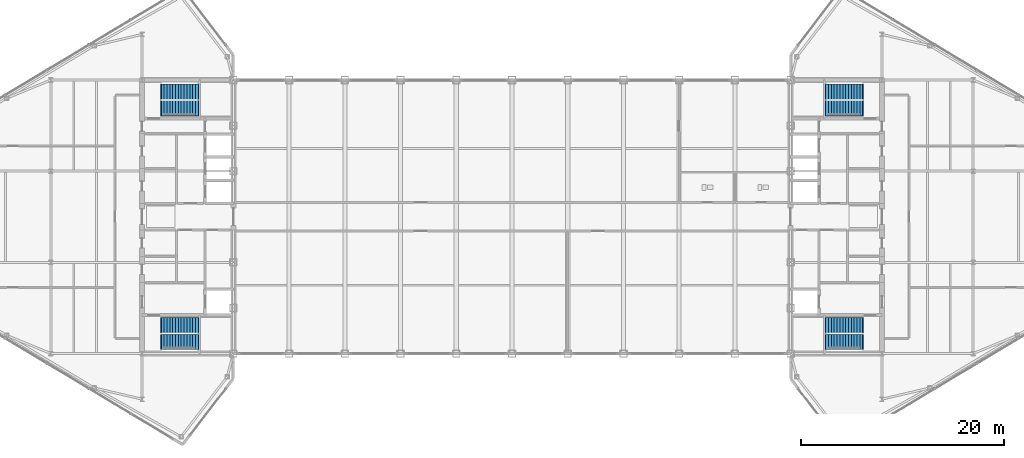
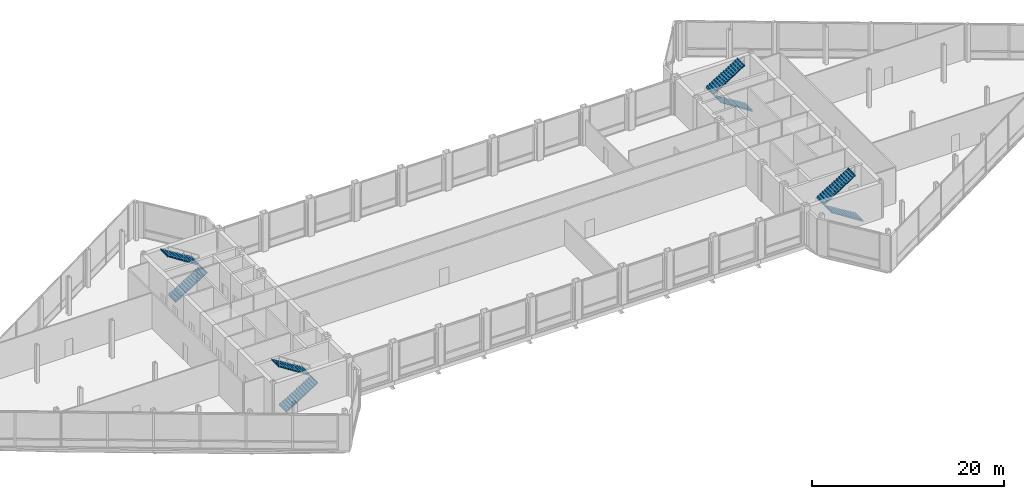
# One storey, part 27 of 29: 8 stair flights, 4 elements without a shape of their own.
"""IFC4 building model written with IfcOpenShell, lengths in metres."""

from ifc_helpers import new_model, si_unit, direction, frame, origin, place, context, subcontext, project, spatial, polyline, outline, extrude, material, type_object, element, aggregate, save


model = new_model("IFC4")

# Units and contexts
model_context = context("Model", 3, precision=1e-05, world=origin(), true_north=direction((0.0, 1.0)))
body_context = subcontext(model_context, "Body", "Model", "MODEL_VIEW")
ifc_project = project(units=[si_unit("LENGTHUNIT", "METRE"), si_unit("AREAUNIT", "SQUARE_METRE"), si_unit("VOLUMEUNIT", "CUBIC_METRE"), si_unit("PLANEANGLEUNIT", "RADIAN"), si_unit("MASSUNIT", "GRAM", prefix="KILO")], contexts=[model_context])

# Site, building, storey
site_placement = place(None, origin())
site = spatial("IfcSite", under=ifc_project, at=site_placement, CompositionType="ELEMENT")
building_placement = place(site_placement, origin())
building = spatial("IfcBuilding", under=site, at=building_placement, Name="Seokmaru Belvedere", CompositionType="ELEMENT")
storey_placement = place(building_placement, frame((0.0, 0.0, 269.39990234375)))
storey = spatial("IfcBuildingStorey", under=building, at=storey_placement, Name="L71", CompositionType="ELEMENT", Elevation=269.39990234375)

# Stair, stair flights
ifc_material = material(Name="Concrete C40 (40 MPa)", Category="concrete")
stair_type = type_object("IfcStairType", Name="Basement Core Dog-Leg Stair 4800", PredefinedType="TWO_STRAIGHT_RUN_STAIR", material=ifc_material)
stair_1_placement = place(storey_placement, origin())
stair_1 = element("IfcStair", 1, at=stair_1_placement, inside=storey, type_object=stair_type, Name="L71 Special Escape Stair ST-W1", PredefinedType="TWO_STRAIGHT_RUN_STAIR")
stair_flight_type = type_object("IfcStairFlightType", Name="Reinforced Concrete Stair Flight 1500", PredefinedType="STRAIGHT", material=ifc_material)
stair_flight_1_placement = place(storey_placement, frame((-34.60009765625, -12.35009765625, 0.0), z_axis=(0.0, 0.0, 1.0), x_axis=(1.0, 0.0, 0.0)))
stair_flight_1 = element("IfcStairFlight", 2, at=stair_flight_1_placement, type_object=stair_flight_type, Name="ST-W1 flight 1", NumberOfRisers=14, NumberOfTreads=13, PredefinedType="STRAIGHT", RiserHeight=0.171428571, TreadLength=0.28, context=body_context, shape_type="SweptSolid", body=[
    extrude(outline(polyline([(-0.080078125, 0.0), (0.0, 0.17138671875), (0.280029296875, 0.17138671875), (0.280029296875, 0.3427734375), (0.56005859375, 0.3427734375), (0.56005859375, 0.514404296875), (0.840087890625, 0.514404296875), (0.840087890625, 0.685791015625), (1.1201171875, 0.685791015625), (1.1201171875, 0.857177734375), (1.39990234375, 0.857177734375), (1.39990234375, 1.028564453125), (1.679931640625, 1.028564453125), (1.679931640625, 1.199951171875), (1.9599609375, 1.199951171875), (1.9599609375, 1.371337890625), (2.239990234375, 1.371337890625), (2.239990234375, 1.54296875), (2.52001953125, 1.54296875), (2.52001953125, 1.71435546875), (2.800048828125, 1.71435546875), (2.800048828125, 1.8857421875), (3.080078125, 1.8857421875), (3.080078125, 2.05712890625), (3.360107421875, 2.05712890625), (3.360107421875, 2.228515625), (3.639892578125, 2.228515625), (3.639892578125, 2.39990234375), (3.719970703125, 2.39990234375), (3.719970703125, 2.2099609375), (3.639892578125, 2.2099609375), (0.0, -0.159912109375), (-0.080078125, -0.159912109375), (-0.080078125, 0.0)])), frame((0.0, 0.75, 0.0), z_axis=(0.0, -1.0, 0.0), x_axis=(1.0, 0.0, 0.0)), (0.0, 0.0, 1.0), 1.5),
])
stair_flight_2_placement = place(storey_placement, frame((-30.9599609375, -10.7099609375, 2.400146484375), z_axis=(0.0, 0.0, 1.0), x_axis=(-1.0, 0.0, 0.0)))
stair_flight_2 = element("IfcStairFlight", 3, at=stair_flight_2_placement, type_object=stair_flight_type, Name="ST-W1 flight 2", NumberOfRisers=14, NumberOfTreads=13, PredefinedType="STRAIGHT", RiserHeight=0.171428571, TreadLength=0.28, context=body_context, shape_type="SweptSolid", body=[
    extrude(outline(polyline([(-0.080078125, 0.0), (0.0, 0.17138671875), (0.280029296875, 0.17138671875), (0.280029296875, 0.3427734375), (0.56005859375, 0.3427734375), (0.56005859375, 0.514404296875), (0.840087890625, 0.514404296875), (0.840087890625, 0.685791015625), (1.1201171875, 0.685791015625), (1.1201171875, 0.857177734375), (1.39990234375, 0.857177734375), (1.39990234375, 1.028564453125), (1.679931640625, 1.028564453125), (1.679931640625, 1.199951171875), (1.9599609375, 1.199951171875), (1.9599609375, 1.371337890625), (2.239990234375, 1.371337890625), (2.239990234375, 1.54296875), (2.52001953125, 1.54296875), (2.52001953125, 1.71435546875), (2.800048828125, 1.71435546875), (2.800048828125, 1.8857421875), (3.080078125, 1.8857421875), (3.080078125, 2.05712890625), (3.360107421875, 2.05712890625), (3.360107421875, 2.228515625), (3.639892578125, 2.228515625), (3.639892578125, 2.39990234375), (3.719970703125, 2.39990234375), (3.719970703125, 2.2099609375), (3.639892578125, 2.2099609375), (0.0, -0.159912109375), (-0.080078125, -0.159912109375), (-0.080078125, 0.0)])), frame((0.0, 0.75, 0.0), z_axis=(0.0, -1.0, 0.0), x_axis=(1.0, 0.0, 0.0)), (0.0, 0.0, 1.0), 1.5),
])
aggregate(stair_1, [stair_flight_1, stair_flight_2])

stair_2_placement = place(storey_placement, origin())
stair_2 = element("IfcStair", 4, at=stair_2_placement, inside=storey, type_object=stair_type, Name="L71 Special Escape Stair ST-W2", PredefinedType="TWO_STRAIGHT_RUN_STAIR")
stair_flight_3_placement = place(storey_placement, frame((-34.60009765625, 10.7099609375, 0.0), z_axis=(0.0, 0.0, 1.0), x_axis=(1.0, 0.0, 0.0)))
stair_flight_3 = element("IfcStairFlight", 5, at=stair_flight_3_placement, type_object=stair_flight_type, Name="ST-W2 flight 1", NumberOfRisers=14, NumberOfTreads=13, PredefinedType="STRAIGHT", RiserHeight=0.171428571, TreadLength=0.28, context=body_context, shape_type="SweptSolid", body=[
    extrude(outline(polyline([(-0.080078125, 0.0), (0.0, 0.17138671875), (0.280029296875, 0.17138671875), (0.280029296875, 0.3427734375), (0.56005859375, 0.3427734375), (0.56005859375, 0.514404296875), (0.840087890625, 0.514404296875), (0.840087890625, 0.685791015625), (1.1201171875, 0.685791015625), (1.1201171875, 0.857177734375), (1.39990234375, 0.857177734375), (1.39990234375, 1.028564453125), (1.679931640625, 1.028564453125), (1.679931640625, 1.199951171875), (1.9599609375, 1.199951171875), (1.9599609375, 1.371337890625), (2.239990234375, 1.371337890625), (2.239990234375, 1.54296875), (2.52001953125, 1.54296875), (2.52001953125, 1.71435546875), (2.800048828125, 1.71435546875), (2.800048828125, 1.8857421875), (3.080078125, 1.8857421875), (3.080078125, 2.05712890625), (3.360107421875, 2.05712890625), (3.360107421875, 2.228515625), (3.639892578125, 2.228515625), (3.639892578125, 2.39990234375), (3.719970703125, 2.39990234375), (3.719970703125, 2.2099609375), (3.639892578125, 2.2099609375), (0.0, -0.159912109375), (-0.080078125, -0.159912109375), (-0.080078125, 0.0)])), frame((0.0, 0.75, 0.0), z_axis=(0.0, -1.0, 0.0), x_axis=(1.0, 0.0, 0.0)), (0.0, 0.0, 1.0), 1.5),
])
stair_flight_4_placement = place(storey_placement, frame((-30.9599609375, 12.35009765625, 2.400146484375), z_axis=(0.0, 0.0, 1.0), x_axis=(-1.0, 0.0, 0.0)))
stair_flight_4 = element("IfcStairFlight", 6, at=stair_flight_4_placement, type_object=stair_flight_type, Name="ST-W2 flight 2", NumberOfRisers=14, NumberOfTreads=13, PredefinedType="STRAIGHT", RiserHeight=0.171428571, TreadLength=0.28, context=body_context, shape_type="SweptSolid", body=[
    extrude(outline(polyline([(-0.080078125, 0.0), (0.0, 0.17138671875), (0.280029296875, 0.17138671875), (0.280029296875, 0.3427734375), (0.56005859375, 0.3427734375), (0.56005859375, 0.514404296875), (0.840087890625, 0.514404296875), (0.840087890625, 0.685791015625), (1.1201171875, 0.685791015625), (1.1201171875, 0.857177734375), (1.39990234375, 0.857177734375), (1.39990234375, 1.028564453125), (1.679931640625, 1.028564453125), (1.679931640625, 1.199951171875), (1.9599609375, 1.199951171875), (1.9599609375, 1.371337890625), (2.239990234375, 1.371337890625), (2.239990234375, 1.54296875), (2.52001953125, 1.54296875), (2.52001953125, 1.71435546875), (2.800048828125, 1.71435546875), (2.800048828125, 1.8857421875), (3.080078125, 1.8857421875), (3.080078125, 2.05712890625), (3.360107421875, 2.05712890625), (3.360107421875, 2.228515625), (3.639892578125, 2.228515625), (3.639892578125, 2.39990234375), (3.719970703125, 2.39990234375), (3.719970703125, 2.2099609375), (3.639892578125, 2.2099609375), (0.0, -0.159912109375), (-0.080078125, -0.159912109375), (-0.080078125, 0.0)])), frame((0.0, 0.75, 0.0), z_axis=(0.0, -1.0, 0.0), x_axis=(1.0, 0.0, 0.0)), (0.0, 0.0, 1.0), 1.5),
])
aggregate(stair_2, [stair_flight_3, stair_flight_4])

stair_3_placement = place(storey_placement, origin())
stair_3 = element("IfcStair", 7, at=stair_3_placement, inside=storey, type_object=stair_type, Name="L71 Special Escape Stair ST-E1", PredefinedType="TWO_STRAIGHT_RUN_STAIR")
stair_flight_5_placement = place(storey_placement, frame((34.60009765625, -12.35009765625, 0.0), z_axis=(0.0, 0.0, 1.0), x_axis=(-1.0, 0.0, 0.0)))
stair_flight_5 = element("IfcStairFlight", 8, at=stair_flight_5_placement, type_object=stair_flight_type, Name="ST-E1 flight 1", NumberOfRisers=14, NumberOfTreads=13, PredefinedType="STRAIGHT", RiserHeight=0.171428571, TreadLength=0.28, context=body_context, shape_type="SweptSolid", body=[
    extrude(outline(polyline([(-0.080078125, 0.0), (0.0, 0.17138671875), (0.280029296875, 0.17138671875), (0.280029296875, 0.3427734375), (0.56005859375, 0.3427734375), (0.56005859375, 0.514404296875), (0.840087890625, 0.514404296875), (0.840087890625, 0.685791015625), (1.1201171875, 0.685791015625), (1.1201171875, 0.857177734375), (1.39990234375, 0.857177734375), (1.39990234375, 1.028564453125), (1.679931640625, 1.028564453125), (1.679931640625, 1.199951171875), (1.9599609375, 1.199951171875), (1.9599609375, 1.371337890625), (2.239990234375, 1.371337890625), (2.239990234375, 1.54296875), (2.52001953125, 1.54296875), (2.52001953125, 1.71435546875), (2.800048828125, 1.71435546875), (2.800048828125, 1.8857421875), (3.080078125, 1.8857421875), (3.080078125, 2.05712890625), (3.360107421875, 2.05712890625), (3.360107421875, 2.228515625), (3.639892578125, 2.228515625), (3.639892578125, 2.39990234375), (3.719970703125, 2.39990234375), (3.719970703125, 2.2099609375), (3.639892578125, 2.2099609375), (0.0, -0.159912109375), (-0.080078125, -0.159912109375), (-0.080078125, 0.0)])), frame((0.0, 0.75, 0.0), z_axis=(0.0, -1.0, 0.0), x_axis=(1.0, 0.0, 0.0)), (0.0, 0.0, 1.0), 1.5),
])
stair_flight_6_placement = place(storey_placement, frame((30.9599609375, -10.7099609375, 2.400146484375), z_axis=(0.0, 0.0, 1.0), x_axis=(1.0, 0.0, 0.0)))
stair_flight_6 = element("IfcStairFlight", 9, at=stair_flight_6_placement, type_object=stair_flight_type, Name="ST-E1 flight 2", NumberOfRisers=14, NumberOfTreads=13, PredefinedType="STRAIGHT", RiserHeight=0.171428571, TreadLength=0.28, context=body_context, shape_type="SweptSolid", body=[
    extrude(outline(polyline([(-0.080078125, 0.0), (0.0, 0.17138671875), (0.280029296875, 0.17138671875), (0.280029296875, 0.3427734375), (0.56005859375, 0.3427734375), (0.56005859375, 0.514404296875), (0.840087890625, 0.514404296875), (0.840087890625, 0.685791015625), (1.1201171875, 0.685791015625), (1.1201171875, 0.857177734375), (1.39990234375, 0.857177734375), (1.39990234375, 1.028564453125), (1.679931640625, 1.028564453125), (1.679931640625, 1.199951171875), (1.9599609375, 1.199951171875), (1.9599609375, 1.371337890625), (2.239990234375, 1.371337890625), (2.239990234375, 1.54296875), (2.52001953125, 1.54296875), (2.52001953125, 1.71435546875), (2.800048828125, 1.71435546875), (2.800048828125, 1.8857421875), (3.080078125, 1.8857421875), (3.080078125, 2.05712890625), (3.360107421875, 2.05712890625), (3.360107421875, 2.228515625), (3.639892578125, 2.228515625), (3.639892578125, 2.39990234375), (3.719970703125, 2.39990234375), (3.719970703125, 2.2099609375), (3.639892578125, 2.2099609375), (0.0, -0.159912109375), (-0.080078125, -0.159912109375), (-0.080078125, 0.0)])), frame((0.0, 0.75, 0.0), z_axis=(0.0, -1.0, 0.0), x_axis=(1.0, 0.0, 0.0)), (0.0, 0.0, 1.0), 1.5),
])
aggregate(stair_3, [stair_flight_5, stair_flight_6])

stair_4_placement = place(storey_placement, origin())
stair_4 = element("IfcStair", 10, at=stair_4_placement, inside=storey, type_object=stair_type, Name="L71 Special Escape Stair ST-E2", PredefinedType="TWO_STRAIGHT_RUN_STAIR")
stair_flight_7_placement = place(storey_placement, frame((34.60009765625, 10.7099609375, 0.0), z_axis=(0.0, 0.0, 1.0), x_axis=(-1.0, 0.0, 0.0)))
stair_flight_7 = element("IfcStairFlight", 11, at=stair_flight_7_placement, type_object=stair_flight_type, Name="ST-E2 flight 1", NumberOfRisers=14, NumberOfTreads=13, PredefinedType="STRAIGHT", RiserHeight=0.171428571, TreadLength=0.28, context=body_context, shape_type="SweptSolid", body=[
    extrude(outline(polyline([(-0.080078125, 0.0), (0.0, 0.17138671875), (0.280029296875, 0.17138671875), (0.280029296875, 0.3427734375), (0.56005859375, 0.3427734375), (0.56005859375, 0.514404296875), (0.840087890625, 0.514404296875), (0.840087890625, 0.685791015625), (1.1201171875, 0.685791015625), (1.1201171875, 0.857177734375), (1.39990234375, 0.857177734375), (1.39990234375, 1.028564453125), (1.679931640625, 1.028564453125), (1.679931640625, 1.199951171875), (1.9599609375, 1.199951171875), (1.9599609375, 1.371337890625), (2.239990234375, 1.371337890625), (2.239990234375, 1.54296875), (2.52001953125, 1.54296875), (2.52001953125, 1.71435546875), (2.800048828125, 1.71435546875), (2.800048828125, 1.8857421875), (3.080078125, 1.8857421875), (3.080078125, 2.05712890625), (3.360107421875, 2.05712890625), (3.360107421875, 2.228515625), (3.639892578125, 2.228515625), (3.639892578125, 2.39990234375), (3.719970703125, 2.39990234375), (3.719970703125, 2.2099609375), (3.639892578125, 2.2099609375), (0.0, -0.159912109375), (-0.080078125, -0.159912109375), (-0.080078125, 0.0)])), frame((0.0, 0.75, 0.0), z_axis=(0.0, -1.0, 0.0), x_axis=(1.0, 0.0, 0.0)), (0.0, 0.0, 1.0), 1.5),
])
stair_flight_8_placement = place(storey_placement, frame((30.9599609375, 12.35009765625, 2.400146484375), z_axis=(0.0, 0.0, 1.0), x_axis=(1.0, 0.0, 0.0)))
stair_flight_8 = element("IfcStairFlight", 12, at=stair_flight_8_placement, type_object=stair_flight_type, Name="ST-E2 flight 2", NumberOfRisers=14, NumberOfTreads=13, PredefinedType="STRAIGHT", RiserHeight=0.171428571, TreadLength=0.28, context=body_context, shape_type="SweptSolid", body=[
    extrude(outline(polyline([(-0.080078125, 0.0), (0.0, 0.17138671875), (0.280029296875, 0.17138671875), (0.280029296875, 0.3427734375), (0.56005859375, 0.3427734375), (0.56005859375, 0.514404296875), (0.840087890625, 0.514404296875), (0.840087890625, 0.685791015625), (1.1201171875, 0.685791015625), (1.1201171875, 0.857177734375), (1.39990234375, 0.857177734375), (1.39990234375, 1.028564453125), (1.679931640625, 1.028564453125), (1.679931640625, 1.199951171875), (1.9599609375, 1.199951171875), (1.9599609375, 1.371337890625), (2.239990234375, 1.371337890625), (2.239990234375, 1.54296875), (2.52001953125, 1.54296875), (2.52001953125, 1.71435546875), (2.800048828125, 1.71435546875), (2.800048828125, 1.8857421875), (3.080078125, 1.8857421875), (3.080078125, 2.05712890625), (3.360107421875, 2.05712890625), (3.360107421875, 2.228515625), (3.639892578125, 2.228515625), (3.639892578125, 2.39990234375), (3.719970703125, 2.39990234375), (3.719970703125, 2.2099609375), (3.639892578125, 2.2099609375), (0.0, -0.159912109375), (-0.080078125, -0.159912109375), (-0.080078125, 0.0)])), frame((0.0, 0.75, 0.0), z_axis=(0.0, -1.0, 0.0), x_axis=(1.0, 0.0, 0.0)), (0.0, 0.0, 1.0), 1.5),
])
aggregate(stair_4, [stair_flight_7, stair_flight_8])

save(model, "model.ifc")
